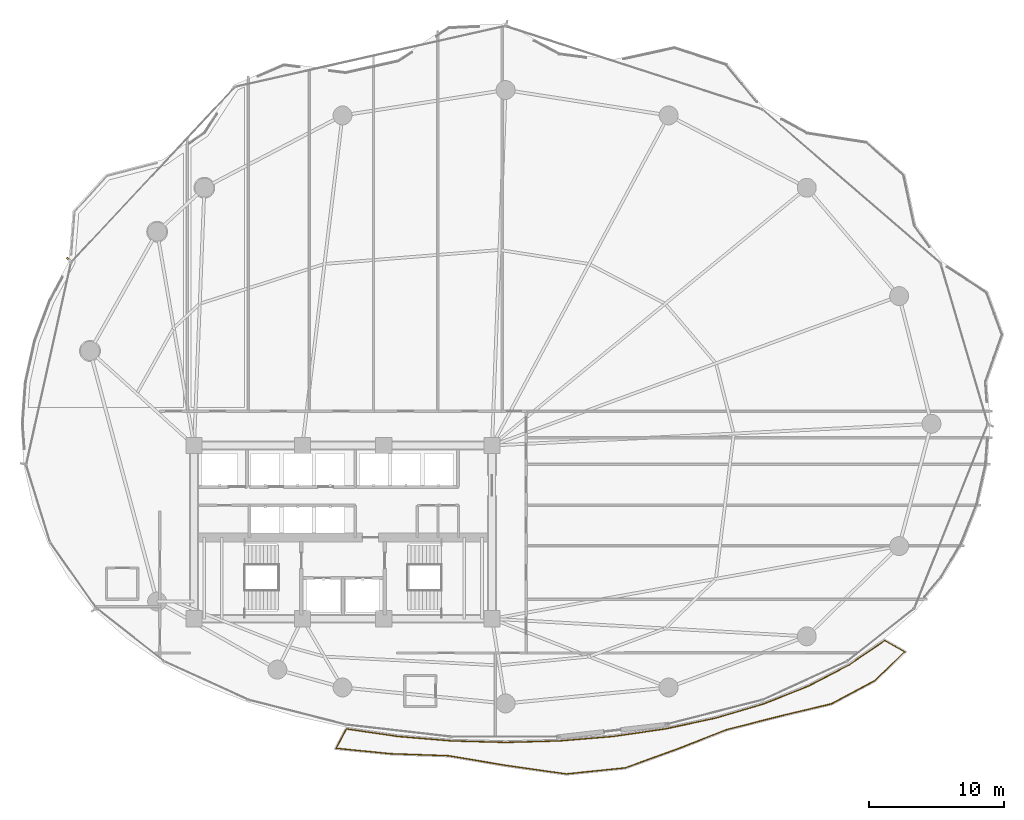
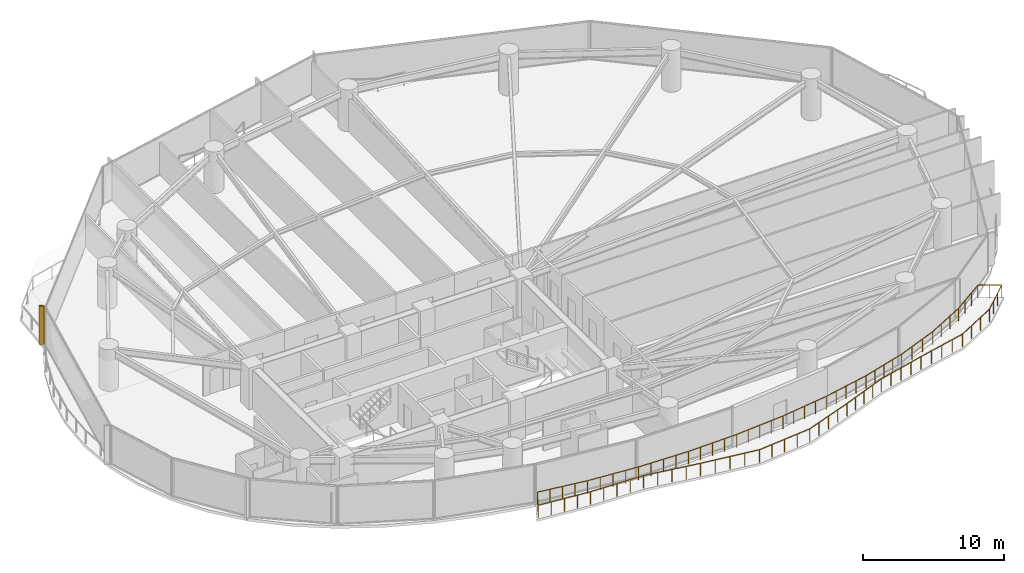
# One storey, part 31 of 33: 1 railing, 1 shading device.
"""IFC4 building model written with IfcOpenShell, lengths in metres."""

from ifc_helpers import new_model, si_unit, direction, frame, origin, origin_2d, place, context, subcontext, project, spatial, rectangle, extrude, material, type_object, element, save


model = new_model("IFC4")

# Units and contexts
model_context = context("Model", 3, precision=1e-05, world=origin(), true_north=direction((0.0, 1.0)))
body_context = subcontext(model_context, "Body", "Model", "MODEL_VIEW")
ifc_project = project(units=[si_unit("LENGTHUNIT", "METRE"), si_unit("AREAUNIT", "SQUARE_METRE"), si_unit("VOLUMEUNIT", "CUBIC_METRE"), si_unit("PLANEANGLEUNIT", "RADIAN"), si_unit("MASSUNIT", "GRAM", prefix="KILO")], contexts=[model_context])

# Site, building, storey
site_placement = place(None, origin())
site = spatial("IfcSite", under=ifc_project, at=site_placement, CompositionType="ELEMENT")
building_placement = place(site_placement, origin())
building = spatial("IfcBuilding", under=site, at=building_placement, Name="Kazevale Care Tower and Concert Hall", CompositionType="ELEMENT")
storey_placement = place(building_placement, frame((0.0, 0.0, 49.199951171875)))
storey = spatial("IfcBuildingStorey", under=building, at=storey_placement, Name="L12", CompositionType="ELEMENT", Elevation=49.199951171875)

# Railing
ifc_material_1 = material(Name="Anodised Bronze Aluminium and Laminated Glass", Category="aluminium")
railing_type = type_object("IfcRailingType", Name="Balcony and Terrace Balustrade 1120", PredefinedType="BALUSTRADE", material=ifc_material_1)
railing_placement = place(storey_placement, frame((33.239990234375, 15.469970703125, 0.0)))
element("IfcRailing", 1, at=railing_placement, inside=storey, type_object=railing_type, Name="rail:L12:balcony", PredefinedType="BALUSTRADE", context=body_context, shape_type="SweptSolid", body=[
    extrude(rectangle(XDim=0.048095703125, YDim=0.048095703125, at=origin_2d()), frame((0.0, 0.0, 1.09619140625), z_axis=(0.98954153526, -0.144248223541, 0.0), x_axis=(0.144248223541, 0.98954153526, 0.0)), (0.0, 0.0, 1.0), 3.820068359375),
    extrude(rectangle(XDim=0.048095703125, YDim=0.048095703125, at=origin_2d()), frame((3.780029296875, -0.551025390625, 1.09619140625), z_axis=(0.996491809711, -0.083690341016, 0.0), x_axis=(0.083690341016, 0.996491809711, 0.0)), (0.0, 0.0, 1.0), 3.97900390625),
    extrude(rectangle(XDim=0.048095703125, YDim=0.048095703125, at=origin_2d()), frame((7.7451171875, -0.884033203125, 1.09619140625), z_axis=(0.999619139625, -0.027596660954, 0.0), x_axis=(0.027596660954, 0.999619139625, 0.0)), (0.0, 0.0, 1.0), 4.016357421875),
    extrude(rectangle(XDim=0.048095703125, YDim=0.048095703125, at=origin_2d()), frame((11.760009765625, -0.994873046875, 1.09619140625), z_axis=(0.999619139625, 0.027596660954, 0.0), x_axis=(-0.027596660954, 0.999619139625, 0.0)), (0.0, 0.0, 1.0), 4.016357421875),
    extrude(rectangle(XDim=0.048095703125, YDim=0.048095703125, at=origin_2d()), frame((15.77490234375, -0.884033203125, 1.09619140625), z_axis=(0.996491809711, 0.083690341016, 0.0), x_axis=(-0.083690341016, 0.996491809711, 0.0)), (0.0, 0.0, 1.0), 3.97900390625),
    extrude(rectangle(XDim=0.048095703125, YDim=0.048095703125, at=origin_2d()), frame((19.739990234375, -0.551025390625, 1.09619140625), z_axis=(0.989562148583, 0.144106745477, 0.0), x_axis=(-0.144106745477, 0.989562148583, 0.0)), (0.0, 0.0, 1.0), 3.90673828125),
    extrude(rectangle(XDim=0.048095703125, YDim=0.048095703125, at=origin_2d()), frame((23.60595703125, 0.011962890625, 1.09619140625), z_axis=(0.977622623243, 0.210366362622, 0.0), x_axis=(-0.210366362622, 0.977622623243, 0.0)), (0.0, 0.0, 1.0), 3.80322265625),
    extrude(rectangle(XDim=0.048095703125, YDim=0.048095703125, at=origin_2d()), frame((27.323974609375, 0.81201171875, 1.09619140625), z_axis=(0.958576059845, 0.28483668565, 0.0), x_axis=(-0.28483668565, 0.958576059845, 0.0)), (0.0, 0.0, 1.0), 3.67626953125),
    extrude(rectangle(XDim=0.048095703125, YDim=0.048095703125, at=origin_2d()), frame((30.847900390625, 1.859130859375, 1.09619140625), z_axis=(0.929364745906, 0.369162794803, 0.0), x_axis=(-0.369162794803, 0.929364745906, 0.0)), (0.0, 0.0, 1.0), 3.534912109375),
    extrude(rectangle(XDim=0.048095703125, YDim=0.048095703125, at=origin_2d()), frame((34.133056640625, 3.1640625, 1.09619140625), z_axis=(0.886249621896, 0.463207952965, 0.0), x_axis=(-0.463207952965, 0.886249621896, 0.0)), (0.0, 0.0, 1.0), 3.3916015625),
    extrude(rectangle(XDim=0.048095703125, YDim=0.048095703125, at=origin_2d()), frame((37.138916015625, 4.735107421875, 1.09619140625), z_axis=(0.825224295989, 0.564805153402, 0.0), x_axis=(-0.564805153402, 0.825224295989, 0.0)), (0.0, 0.0, 1.0), 3.17626953125),
    extrude(rectangle(XDim=0.048095703125, YDim=0.048095703125, at=origin_2d()), frame((39.760009765625, 6.529052734375, 1.09619140625), z_axis=(0.870189180508, -0.492717759094, 0.0), x_axis=(0.492717759094, 0.870189180508, 0.0)), (0.0, 0.0, 1.0), 1.692626953125),
    extrude(rectangle(XDim=0.048095703125, YDim=0.048095703125, at=origin_2d()), frame((41.23291015625, 5.695068359375, 1.09619140625), z_axis=(-0.722710221607, -0.691151166956, 0.0), x_axis=(0.691151166956, -0.722710221607, 0.0)), (0.0, 0.0, 1.0), 3.10205078125),
    extrude(rectangle(XDim=0.048095703125, YDim=0.048095703125, at=origin_2d()), frame((38.990966796875, 3.551025390625, 1.09619140625), z_axis=(-0.881847001508, -0.471535646511, 0.0), x_axis=(0.471535646511, -0.881847001508, 0.0)), (0.0, 0.0, 1.0), 3.596923828125),
    extrude(rectangle(XDim=0.048095703125, YDim=0.048095703125, at=origin_2d()), frame((35.819091796875, 1.85498046875, 1.09619140625), z_axis=(-0.972687952965, -0.232116664968, 0.0), x_axis=(0.232116664968, -0.972687952965, 0.0)), (0.0, 0.0, 1.0), 4.057861328125),
    extrude(rectangle(XDim=0.048095703125, YDim=0.048095703125, at=origin_2d()), frame((31.8720703125, 0.9130859375, 1.09619140625), z_axis=(-0.968673808328, -0.248336572134, 0.0), x_axis=(0.248336572134, -0.968673808328, 0.0)), (0.0, 0.0, 1.0), 3.938232421875),
    extrude(rectangle(XDim=0.048095703125, YDim=0.048095703125, at=origin_2d()), frame((28.05712890625, -0.06494140625, 1.09619140625), z_axis=(-0.930909303522, -0.365250419049, 0.0), x_axis=(0.365250419049, -0.930909303522, 0.0)), (0.0, 0.0, 1.0), 3.87158203125),
    extrude(rectangle(XDim=0.048095703125, YDim=0.048095703125, at=origin_2d()), frame((24.453125, -1.47900390625, 1.09619140625), z_axis=(-0.940399278042, -0.340072342094, 0.0), x_axis=(0.340072342094, -0.940399278042, 0.0)), (0.0, 0.0, 1.0), 4.10791015625),
    extrude(rectangle(XDim=0.048095703125, YDim=0.048095703125, at=origin_2d()), frame((20.590087890625, -2.8759765625, 1.09619140625), z_axis=(-0.994755732104, -0.102279193613, 0.0), x_axis=(0.102279193613, -0.994755732104, 0.0)), (0.0, 0.0, 1.0), 4.380126953125),
    extrude(rectangle(XDim=0.048095703125, YDim=0.048095703125, at=origin_2d()), frame((16.23291015625, -3.323974609375, 1.09619140625), z_axis=(-0.990053401239, 0.140692084694, 0.0), x_axis=(-0.140692084694, -0.990053401239, 0.0)), (0.0, 0.0, 1.0), 4.49951171875),
    extrude(rectangle(XDim=0.048095703125, YDim=0.048095703125, at=origin_2d()), frame((11.778076171875, -2.69091796875, 1.09619140625), z_axis=(-0.986227865849, 0.165392250795, 0.0), x_axis=(-0.165392250795, -0.986227865849, 0.0)), (0.0, 0.0, 1.0), 4.304443359375),
    extrude(rectangle(XDim=0.048095703125, YDim=0.048095703125, at=origin_2d()), frame((7.532958984375, -1.97900390625, 1.09619140625), z_axis=(-0.999405659265, 0.034472136989, 0.0), x_axis=(-0.034472136989, -0.999405659265, 0.0)), (0.0, 0.0, 1.0), 4.263427734375),
    extrude(rectangle(XDim=0.048095703125, YDim=0.048095703125, at=origin_2d()), frame((3.27197265625, -1.83203125, 1.09619140625), z_axis=(-0.99507534539, 0.099121425517, 0.0), x_axis=(-0.099121425517, -0.99507534539, 0.0)), (0.0, 0.0, 1.0), 4.046875),
    extrude(rectangle(XDim=0.048095703125, YDim=0.048095703125, at=origin_2d()), frame((-0.7548828125, -1.430908203125, 1.09619140625), z_axis=(0.466604517914, 0.884466067106, 0.0), x_axis=(-0.884466067106, 0.466604517914, 0.0)), (0.0, 0.0, 1.0), 1.617919921875),
    extrude(rectangle(XDim=0.0419921875, YDim=0.0419921875, at=origin_2d()), origin(), (0.0, 0.0, 1.0), 1.072021484375),
    extrude(rectangle(XDim=0.0419921875, YDim=0.0419921875, at=origin_2d()), frame((0.945068359375, -0.1376953125, 0.0)), (0.0, 0.0, 1.0), 1.072021484375),
    extrude(rectangle(XDim=0.0419921875, YDim=0.0419921875, at=origin_2d()), frame((1.89013671875, -0.275390625, 0.0)), (0.0, 0.0, 1.0), 1.072021484375),
    extrude(rectangle(XDim=0.0419921875, YDim=0.0419921875, at=origin_2d()), frame((2.8349609375, -0.413330078125, 0.0)), (0.0, 0.0, 1.0), 1.072021484375),
    extrude(rectangle(XDim=0.0419921875, YDim=0.0419921875, at=origin_2d()), frame((3.780029296875, -0.551025390625, 0.0)), (0.0, 0.0, 1.0), 1.072021484375),
    extrude(rectangle(XDim=0.0419921875, YDim=0.0419921875, at=origin_2d()), frame((4.771240234375, -0.63427734375, 0.0)), (0.0, 0.0, 1.0), 1.072021484375),
    extrude(rectangle(XDim=0.0419921875, YDim=0.0419921875, at=origin_2d()), frame((5.7626953125, -0.717529296875, 0.0)), (0.0, 0.0, 1.0), 1.072021484375),
    extrude(rectangle(XDim=0.0419921875, YDim=0.0419921875, at=origin_2d()), frame((6.75390625, -0.80078125, 0.0)), (0.0, 0.0, 1.0), 1.072021484375),
    extrude(rectangle(XDim=0.0419921875, YDim=0.0419921875, at=origin_2d()), frame((7.7451171875, -0.884033203125, 0.0)), (0.0, 0.0, 1.0), 1.072021484375),
    extrude(rectangle(XDim=0.0419921875, YDim=0.0419921875, at=origin_2d()), frame((8.748779296875, -0.91162109375, 0.0)), (0.0, 0.0, 1.0), 1.072021484375),
    extrude(rectangle(XDim=0.0419921875, YDim=0.0419921875, at=origin_2d()), frame((9.75244140625, -0.939453125, 0.0)), (0.0, 0.0, 1.0), 1.072021484375),
    extrude(rectangle(XDim=0.0419921875, YDim=0.0419921875, at=origin_2d()), frame((10.75634765625, -0.96728515625, 0.0)), (0.0, 0.0, 1.0), 1.072021484375),
    extrude(rectangle(XDim=0.0419921875, YDim=0.0419921875, at=origin_2d()), frame((11.760009765625, -0.994873046875, 0.0)), (0.0, 0.0, 1.0), 1.072021484375),
    extrude(rectangle(XDim=0.0419921875, YDim=0.0419921875, at=origin_2d()), frame((12.763671875, -0.96728515625, 0.0)), (0.0, 0.0, 1.0), 1.072021484375),
    extrude(rectangle(XDim=0.0419921875, YDim=0.0419921875, at=origin_2d()), frame((13.767578125, -0.939453125, 0.0)), (0.0, 0.0, 1.0), 1.072021484375),
    extrude(rectangle(XDim=0.0419921875, YDim=0.0419921875, at=origin_2d()), frame((14.771240234375, -0.91162109375, 0.0)), (0.0, 0.0, 1.0), 1.072021484375),
    extrude(rectangle(XDim=0.0419921875, YDim=0.0419921875, at=origin_2d()), frame((15.77490234375, -0.884033203125, 0.0)), (0.0, 0.0, 1.0), 1.072021484375),
    extrude(rectangle(XDim=0.0419921875, YDim=0.0419921875, at=origin_2d()), frame((16.76611328125, -0.80078125, 0.0)), (0.0, 0.0, 1.0), 1.072021484375),
    extrude(rectangle(XDim=0.0419921875, YDim=0.0419921875, at=origin_2d()), frame((17.75732421875, -0.717529296875, 0.0)), (0.0, 0.0, 1.0), 1.072021484375),
    extrude(rectangle(XDim=0.0419921875, YDim=0.0419921875, at=origin_2d()), frame((18.748779296875, -0.63427734375, 0.0)), (0.0, 0.0, 1.0), 1.072021484375),
    extrude(rectangle(XDim=0.0419921875, YDim=0.0419921875, at=origin_2d()), frame((19.739990234375, -0.551025390625, 0.0)), (0.0, 0.0, 1.0), 1.072021484375),
    extrude(rectangle(XDim=0.0419921875, YDim=0.0419921875, at=origin_2d()), frame((20.70654296875, -0.41015625, 0.0)), (0.0, 0.0, 1.0), 1.072021484375),
    extrude(rectangle(XDim=0.0419921875, YDim=0.0419921875, at=origin_2d()), frame((21.6728515625, -0.26953125, 0.0)), (0.0, 0.0, 1.0), 1.072021484375),
    extrude(rectangle(XDim=0.0419921875, YDim=0.0419921875, at=origin_2d()), frame((22.639404296875, -0.12890625, 0.0)), (0.0, 0.0, 1.0), 1.072021484375),
    extrude(rectangle(XDim=0.0419921875, YDim=0.0419921875, at=origin_2d()), frame((23.60595703125, 0.011962890625, 0.0)), (0.0, 0.0, 1.0), 1.072021484375),
    extrude(rectangle(XDim=0.0419921875, YDim=0.0419921875, at=origin_2d()), frame((24.535400390625, 0.2119140625, 0.0)), (0.0, 0.0, 1.0), 1.072021484375),
    extrude(rectangle(XDim=0.0419921875, YDim=0.0419921875, at=origin_2d()), frame((25.46484375, 0.412109375, 0.0)), (0.0, 0.0, 1.0), 1.072021484375),
    extrude(rectangle(XDim=0.0419921875, YDim=0.0419921875, at=origin_2d()), frame((26.39453125, 0.612060546875, 0.0)), (0.0, 0.0, 1.0), 1.072021484375),
    extrude(rectangle(XDim=0.0419921875, YDim=0.0419921875, at=origin_2d()), frame((27.323974609375, 0.81201171875, 0.0)), (0.0, 0.0, 1.0), 1.072021484375),
    extrude(rectangle(XDim=0.0419921875, YDim=0.0419921875, at=origin_2d()), frame((28.205078125, 1.07373046875, 0.0)), (0.0, 0.0, 1.0), 1.072021484375),
    extrude(rectangle(XDim=0.0419921875, YDim=0.0419921875, at=origin_2d()), frame((29.0859375, 1.33544921875, 0.0)), (0.0, 0.0, 1.0), 1.072021484375),
    extrude(rectangle(XDim=0.0419921875, YDim=0.0419921875, at=origin_2d()), frame((29.966796875, 1.597412109375, 0.0)), (0.0, 0.0, 1.0), 1.072021484375),
    extrude(rectangle(XDim=0.0419921875, YDim=0.0419921875, at=origin_2d()), frame((30.847900390625, 1.859130859375, 0.0)), (0.0, 0.0, 1.0), 1.072021484375),
    extrude(rectangle(XDim=0.0419921875, YDim=0.0419921875, at=origin_2d()), frame((31.94287109375, 2.294189453125, 0.0)), (0.0, 0.0, 1.0), 1.072021484375),
    extrude(rectangle(XDim=0.0419921875, YDim=0.0419921875, at=origin_2d()), frame((33.0380859375, 2.72900390625, 0.0)), (0.0, 0.0, 1.0), 1.072021484375),
    extrude(rectangle(XDim=0.0419921875, YDim=0.0419921875, at=origin_2d()), frame((34.133056640625, 3.1640625, 0.0)), (0.0, 0.0, 1.0), 1.072021484375),
    extrude(rectangle(XDim=0.0419921875, YDim=0.0419921875, at=origin_2d()), frame((35.135009765625, 3.687744140625, 0.0)), (0.0, 0.0, 1.0), 1.072021484375),
    extrude(rectangle(XDim=0.0419921875, YDim=0.0419921875, at=origin_2d()), frame((36.136962890625, 4.21142578125, 0.0)), (0.0, 0.0, 1.0), 1.072021484375),
    extrude(rectangle(XDim=0.0419921875, YDim=0.0419921875, at=origin_2d()), frame((37.138916015625, 4.735107421875, 0.0)), (0.0, 0.0, 1.0), 1.072021484375),
    extrude(rectangle(XDim=0.0419921875, YDim=0.0419921875, at=origin_2d()), frame((38.0126953125, 5.3330078125, 0.0)), (0.0, 0.0, 1.0), 1.072021484375),
    extrude(rectangle(XDim=0.0419921875, YDim=0.0419921875, at=origin_2d()), frame((38.88623046875, 5.93115234375, 0.0)), (0.0, 0.0, 1.0), 1.072021484375),
    extrude(rectangle(XDim=0.0419921875, YDim=0.0419921875, at=origin_2d()), frame((39.760009765625, 6.529052734375, 0.0)), (0.0, 0.0, 1.0), 1.072021484375),
    extrude(rectangle(XDim=0.0419921875, YDim=0.0419921875, at=origin_2d()), frame((40.49658203125, 6.112060546875, 0.0)), (0.0, 0.0, 1.0), 1.072021484375),
    extrude(rectangle(XDim=0.0419921875, YDim=0.0419921875, at=origin_2d()), frame((41.23291015625, 5.695068359375, 0.0)), (0.0, 0.0, 1.0), 1.072021484375),
    extrude(rectangle(XDim=0.0419921875, YDim=0.0419921875, at=origin_2d()), frame((40.485595703125, 4.98046875, 0.0)), (0.0, 0.0, 1.0), 1.072021484375),
    extrude(rectangle(XDim=0.0419921875, YDim=0.0419921875, at=origin_2d()), frame((39.73828125, 4.265625, 0.0)), (0.0, 0.0, 1.0), 1.072021484375),
    extrude(rectangle(XDim=0.0419921875, YDim=0.0419921875, at=origin_2d()), frame((38.990966796875, 3.551025390625, 0.0)), (0.0, 0.0, 1.0), 1.072021484375),
    extrude(rectangle(XDim=0.0419921875, YDim=0.0419921875, at=origin_2d()), frame((37.93359375, 2.985595703125, 0.0)), (0.0, 0.0, 1.0), 1.072021484375),
    extrude(rectangle(XDim=0.0419921875, YDim=0.0419921875, at=origin_2d()), frame((36.87646484375, 2.42041015625, 0.0)), (0.0, 0.0, 1.0), 1.072021484375),
    extrude(rectangle(XDim=0.0419921875, YDim=0.0419921875, at=origin_2d()), frame((35.819091796875, 1.85498046875, 0.0)), (0.0, 0.0, 1.0), 1.072021484375),
    extrude(rectangle(XDim=0.0419921875, YDim=0.0419921875, at=origin_2d()), frame((34.832275390625, 1.61962890625, 0.0)), (0.0, 0.0, 1.0), 1.072021484375),
    extrude(rectangle(XDim=0.0419921875, YDim=0.0419921875, at=origin_2d()), frame((33.845703125, 1.384033203125, 0.0)), (0.0, 0.0, 1.0), 1.072021484375),
    extrude(rectangle(XDim=0.0419921875, YDim=0.0419921875, at=origin_2d()), frame((32.85888671875, 1.1484375, 0.0)), (0.0, 0.0, 1.0), 1.072021484375),
    extrude(rectangle(XDim=0.0419921875, YDim=0.0419921875, at=origin_2d()), frame((31.8720703125, 0.9130859375, 0.0)), (0.0, 0.0, 1.0), 1.072021484375),
    extrude(rectangle(XDim=0.0419921875, YDim=0.0419921875, at=origin_2d()), frame((30.91845703125, 0.66845703125, 0.0)), (0.0, 0.0, 1.0), 1.072021484375),
    extrude(rectangle(XDim=0.0419921875, YDim=0.0419921875, at=origin_2d()), frame((29.964599609375, 0.424072265625, 0.0)), (0.0, 0.0, 1.0), 1.072021484375),
    extrude(rectangle(XDim=0.0419921875, YDim=0.0419921875, at=origin_2d()), frame((29.0107421875, 0.1796875, 0.0)), (0.0, 0.0, 1.0), 1.072021484375),
    extrude(rectangle(XDim=0.0419921875, YDim=0.0419921875, at=origin_2d()), frame((28.05712890625, -0.06494140625, 0.0)), (0.0, 0.0, 1.0), 1.072021484375),
    extrude(rectangle(XDim=0.0419921875, YDim=0.0419921875, at=origin_2d()), frame((27.15625, -0.41845703125, 0.0)), (0.0, 0.0, 1.0), 1.072021484375),
    extrude(rectangle(XDim=0.0419921875, YDim=0.0419921875, at=origin_2d()), frame((26.255126953125, -0.77197265625, 0.0)), (0.0, 0.0, 1.0), 1.072021484375),
    extrude(rectangle(XDim=0.0419921875, YDim=0.0419921875, at=origin_2d()), frame((25.35400390625, -1.12548828125, 0.0)), (0.0, 0.0, 1.0), 1.072021484375),
    extrude(rectangle(XDim=0.0419921875, YDim=0.0419921875, at=origin_2d()), frame((24.453125, -1.47900390625, 0.0)), (0.0, 0.0, 1.0), 1.072021484375),
    extrude(rectangle(XDim=0.0419921875, YDim=0.0419921875, at=origin_2d()), frame((23.4873046875, -1.828125, 0.0)), (0.0, 0.0, 1.0), 1.072021484375),
    extrude(rectangle(XDim=0.0419921875, YDim=0.0419921875, at=origin_2d()), frame((22.521484375, -2.177490234375, 0.0)), (0.0, 0.0, 1.0), 1.072021484375),
    extrude(rectangle(XDim=0.0419921875, YDim=0.0419921875, at=origin_2d()), frame((21.555908203125, -2.52685546875, 0.0)), (0.0, 0.0, 1.0), 1.072021484375),
    extrude(rectangle(XDim=0.0419921875, YDim=0.0419921875, at=origin_2d()), frame((20.590087890625, -2.8759765625, 0.0)), (0.0, 0.0, 1.0), 1.072021484375),
    extrude(rectangle(XDim=0.0419921875, YDim=0.0419921875, at=origin_2d()), frame((19.500732421875, -2.988037109375, 0.0)), (0.0, 0.0, 1.0), 1.072021484375),
    extrude(rectangle(XDim=0.0419921875, YDim=0.0419921875, at=origin_2d()), frame((18.41162109375, -3.10009765625, 0.0)), (0.0, 0.0, 1.0), 1.072021484375),
    extrude(rectangle(XDim=0.0419921875, YDim=0.0419921875, at=origin_2d()), frame((17.322265625, -3.2119140625, 0.0)), (0.0, 0.0, 1.0), 1.072021484375),
    extrude(rectangle(XDim=0.0419921875, YDim=0.0419921875, at=origin_2d()), frame((16.23291015625, -3.323974609375, 0.0)), (0.0, 0.0, 1.0), 1.072021484375),
    extrude(rectangle(XDim=0.0419921875, YDim=0.0419921875, at=origin_2d()), frame((15.119140625, -3.165771484375, 0.0)), (0.0, 0.0, 1.0), 1.072021484375),
    extrude(rectangle(XDim=0.0419921875, YDim=0.0419921875, at=origin_2d()), frame((14.00537109375, -3.00732421875, 0.0)), (0.0, 0.0, 1.0), 1.072021484375),
    extrude(rectangle(XDim=0.0419921875, YDim=0.0419921875, at=origin_2d()), frame((12.891845703125, -2.84912109375, 0.0)), (0.0, 0.0, 1.0), 1.072021484375),
    extrude(rectangle(XDim=0.0419921875, YDim=0.0419921875, at=origin_2d()), frame((11.778076171875, -2.69091796875, 0.0)), (0.0, 0.0, 1.0), 1.072021484375),
    extrude(rectangle(XDim=0.0419921875, YDim=0.0419921875, at=origin_2d()), frame((10.716796875, -2.512939453125, 0.0)), (0.0, 0.0, 1.0), 1.072021484375),
    extrude(rectangle(XDim=0.0419921875, YDim=0.0419921875, at=origin_2d()), frame((9.655517578125, -2.3349609375, 0.0)), (0.0, 0.0, 1.0), 1.072021484375),
    extrude(rectangle(XDim=0.0419921875, YDim=0.0419921875, at=origin_2d()), frame((8.59423828125, -2.156982421875, 0.0)), (0.0, 0.0, 1.0), 1.072021484375),
    extrude(rectangle(XDim=0.0419921875, YDim=0.0419921875, at=origin_2d()), frame((7.532958984375, -1.97900390625, 0.0)), (0.0, 0.0, 1.0), 1.072021484375),
    extrude(rectangle(XDim=0.0419921875, YDim=0.0419921875, at=origin_2d()), frame((6.4677734375, -1.9423828125, 0.0)), (0.0, 0.0, 1.0), 1.072021484375),
    extrude(rectangle(XDim=0.0419921875, YDim=0.0419921875, at=origin_2d()), frame((5.40234375, -1.905517578125, 0.0)), (0.0, 0.0, 1.0), 1.072021484375),
    extrude(rectangle(XDim=0.0419921875, YDim=0.0419921875, at=origin_2d()), frame((4.337158203125, -1.86865234375, 0.0)), (0.0, 0.0, 1.0), 1.072021484375),
    extrude(rectangle(XDim=0.0419921875, YDim=0.0419921875, at=origin_2d()), frame((3.27197265625, -1.83203125, 0.0)), (0.0, 0.0, 1.0), 1.072021484375),
    extrude(rectangle(XDim=0.0419921875, YDim=0.0419921875, at=origin_2d()), frame((2.26513671875, -1.731689453125, 0.0)), (0.0, 0.0, 1.0), 1.072021484375),
    extrude(rectangle(XDim=0.0419921875, YDim=0.0419921875, at=origin_2d()), frame((1.258544921875, -1.63134765625, 0.0)), (0.0, 0.0, 1.0), 1.072021484375),
    extrude(rectangle(XDim=0.0419921875, YDim=0.0419921875, at=origin_2d()), frame((0.251953125, -1.53125, 0.0)), (0.0, 0.0, 1.0), 1.072021484375),
    extrude(rectangle(XDim=0.0419921875, YDim=0.0419921875, at=origin_2d()), frame((-0.7548828125, -1.430908203125, 0.0)), (0.0, 0.0, 1.0), 1.072021484375),
    extrude(rectangle(XDim=0.0419921875, YDim=0.0419921875, at=origin_2d()), frame((-0.37744140625, -0.71533203125, 0.0)), (0.0, 0.0, 1.0), 1.072021484375),
])

# Shading device
ifc_material_2 = material(Name="Honed Ochre Limestone", Category="masonry")
shading_device_type = type_object("IfcShadingDeviceType", Name="Vertical Honed Limestone Fin FIN-01", PredefinedType="USERDEFINED", material=ifc_material_2)
shading_device_placement = place(storey_placement, frame((12.747802734375, 50.140625, 0.0), z_axis=(0.0, 0.0, 1.0), x_axis=(-0.730400739673, 0.683018857343, 0.0)))
element("IfcShadingDevice", 2, at=shading_device_placement, inside=storey, type_object=shading_device_type, Name="cw:L12:f14:fin", ObjectType="FIN", PredefinedType="USERDEFINED", context=body_context, shape_type="SweptSolid", body=[
    extrude(rectangle(XDim=0.3798828125, YDim=0.1201171875, at=origin_2d()), origin(), (0.0, 0.0, 1.0), 3.360107421875),
])

save(model, "model.ifc")
